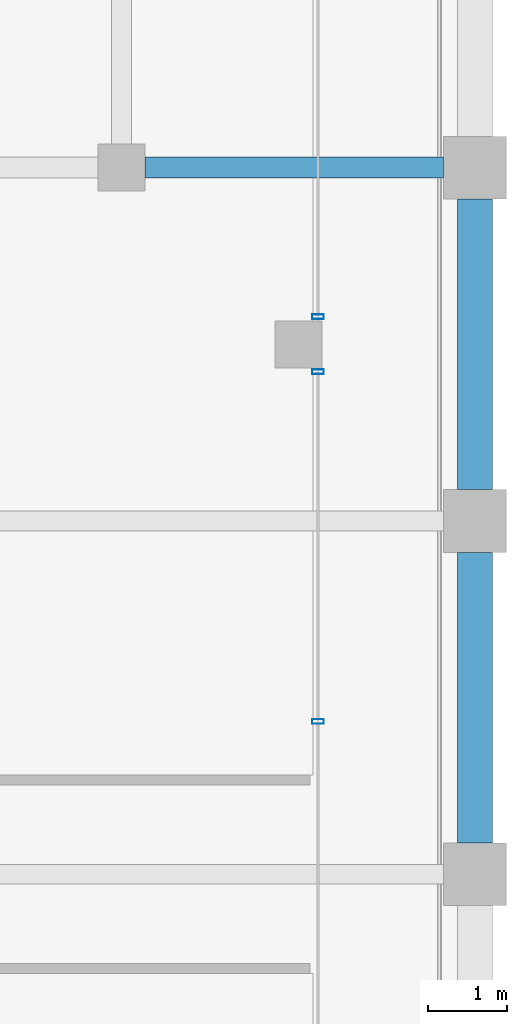
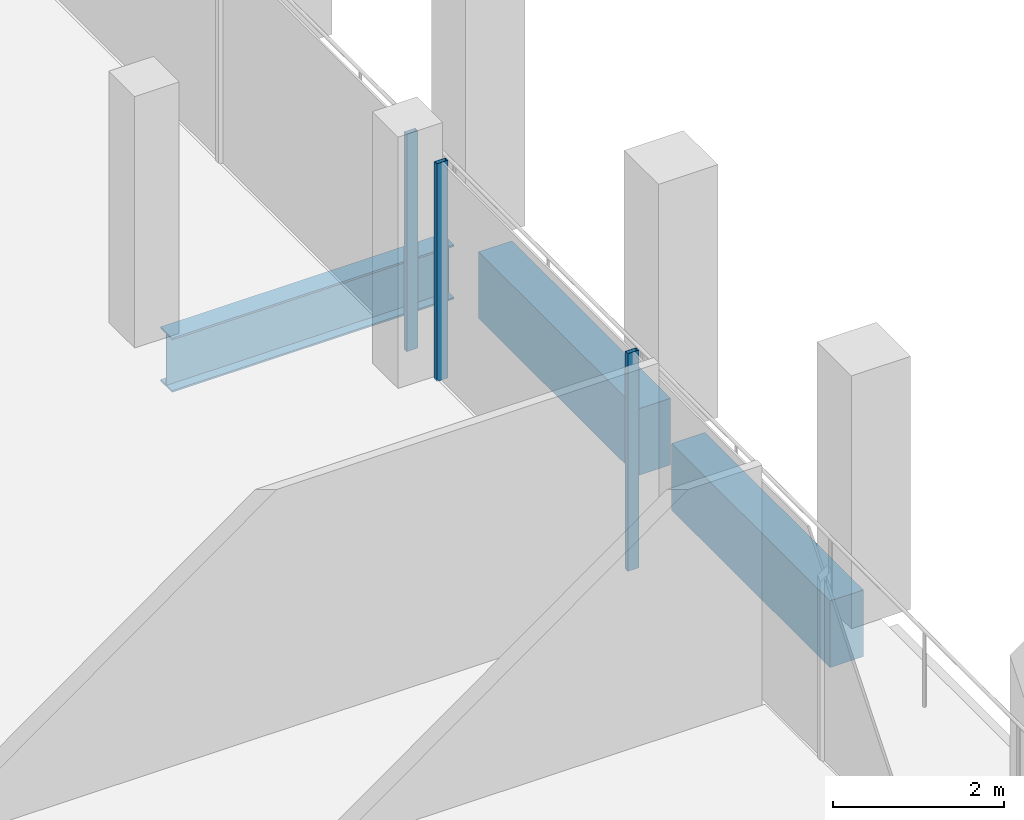
# One storey, part 19 of 30: 3 beams, 3 members, 2 elements without a shape of their own.
"""IFC4 building model written with IfcOpenShell, lengths in metres."""

from ifc_helpers import new_model, si_unit, direction, frame, origin, origin_2d, place, context, subcontext, project, spatial, rectangle, hollow_rectangle, i_section, extrude, material, material_profile, profile_set, type_object, element, aggregate, save


model = new_model("IFC4")

# Units and contexts
model_context = context("Model", 3, precision=1e-05, world=origin(), true_north=direction((0.0, 1.0)))
body_context = subcontext(model_context, "Body", "Model", "MODEL_VIEW")
ifc_project = project(units=[si_unit("LENGTHUNIT", "METRE"), si_unit("AREAUNIT", "SQUARE_METRE"), si_unit("VOLUMEUNIT", "CUBIC_METRE"), si_unit("PLANEANGLEUNIT", "RADIAN"), si_unit("MASSUNIT", "GRAM", prefix="KILO")], contexts=[model_context])

# Site, building, storey
site_placement = place(None, origin())
site = spatial("IfcSite", under=ifc_project, at=site_placement, CompositionType="ELEMENT")
building_placement = place(site_placement, origin())
building = spatial("IfcBuilding", under=site, at=building_placement, Name="Altepetl Exchange Towers", CompositionType="ELEMENT")
storey_placement = place(building_placement, frame((0.0, 0.0, 224.39990234375)))
storey = spatial("IfcBuildingStorey", under=building, at=storey_placement, Name="L57", CompositionType="ELEMENT", Elevation=224.39990234375)

# Beam
ifc_material_1 = material(Name="Steel S355", Category="steel")
ifc_material_profile_1 = material_profile(ifc_material_1, i_section(OverallWidth=0.26806640625, OverallDepth=0.77392578125, WebThickness=0.015380859375, FlangeThickness=0.025390625, at=origin_2d()), Name="W30X132")
ifc_profile_set_1 = profile_set([ifc_material_profile_1], Name="Steel S355")
beam_type_1 = type_object("IfcBeamType", Name="Girder W30X132", PredefinedType="BEAM", material=ifc_profile_set_1)
beam_placement = place(storey_placement, frame((67.800048828125, 58.5, -0.536865234375), z_axis=(1.0, 0.0, 0.0), x_axis=(0.0, 1.0, 0.0)))
element("IfcBeam", 1, at=beam_placement, inside=storey, type_object=beam_type_1, Name="gd:A:L57:002", PredefinedType="BEAM", context=body_context, shape_type="SweptSolid", body=[
    extrude(i_section(OverallWidth=0.26806640625, OverallDepth=0.77392578125, WebThickness=0.015380859375, FlangeThickness=0.025390625, at=origin_2d()), origin(), (0.0, 0.0, 1.0), 3.800048828125),
])

# Curtain wall, members
ifc_material_2 = material(Name="Aluminium 6063-T6 glazing", Category="aluminium")
curtain_wall_type = type_object("IfcCurtainWallType", Name="Loggia glazing system", PredefinedType="NOTDEFINED", material=ifc_material_2)
curtain_wall_1_placement = place(storey_placement, origin())
curtain_wall_1 = element("IfcCurtainWall", 2, at=curtain_wall_1_placement, inside=storey, type_object=curtain_wall_type, Name="CW1 run", PredefinedType="NOTDEFINED")
ifc_material_3 = material(Name="Aluminium 6063-T6", Category="aluminium")
ifc_material_profile_2 = material_profile(ifc_material_3, hollow_rectangle(XDim=0.06005859375, YDim=0.14990234375, WallThickness=0.0029296875, at=origin_2d()), Name="Mullion 60x150 aluminium")
ifc_profile_set_2 = profile_set([ifc_material_profile_2], Name="Aluminium 6063-T6")
member_type = type_object("IfcMemberType", Name="Mullion 60x150 aluminium", PredefinedType="MULLION", material=ifc_profile_set_2)
member_1_placement = place(storey_placement, frame((70.0, 51.444091796875, 0.0), z_axis=(0.0, 0.0, 1.0), x_axis=(0.0, 1.0, 0.0)))
member_1 = element("IfcMember", 3, at=member_1_placement, type_object=member_type, Name="MU1 mullion", PredefinedType="MULLION", context=body_context, shape_type="SweptSolid", body=[
    extrude(hollow_rectangle(XDim=0.06005859375, YDim=0.14990234375, WallThickness=0.0029296875, at=origin_2d()), origin(), (0.0, 0.0, 1.0), 3.10009765625),
])
member_2_placement = place(storey_placement, frame((70.0, 55.89990234375, 0.0), z_axis=(0.0, 0.0, 1.0), x_axis=(0.0, 1.0, 0.0)))
member_2 = element("IfcMember", 4, at=member_2_placement, type_object=member_type, Name="MU1 mullion", PredefinedType="MULLION", context=body_context, shape_type="SweptSolid", body=[
    extrude(hollow_rectangle(XDim=0.06005859375, YDim=0.14990234375, WallThickness=0.0029296875, at=origin_2d()), origin(), (0.0, 0.0, 1.0), 3.10009765625),
])
aggregate(curtain_wall_1, [member_1, member_2])

# Curtain wall, member
curtain_wall_2_placement = place(storey_placement, origin())
curtain_wall_2 = element("IfcCurtainWall", 5, at=curtain_wall_2_placement, inside=storey, type_object=curtain_wall_type, Name="CW1 run", PredefinedType="NOTDEFINED")
member_3_placement = place(storey_placement, frame((70.0, 56.60009765625, 0.0), z_axis=(0.0, 0.0, 1.0), x_axis=(0.0, 1.0, 0.0)))
member_3 = element("IfcMember", 6, at=member_3_placement, type_object=member_type, Name="MU1 mullion", PredefinedType="MULLION", context=body_context, shape_type="SweptSolid", body=[
    extrude(hollow_rectangle(XDim=0.06005859375, YDim=0.14990234375, WallThickness=0.0029296875, at=origin_2d()), origin(), (0.0, 0.0, 1.0), 3.10009765625),
])
aggregate(curtain_wall_2, [member_3])

# Beams
ifc_material_4 = material(Name="Concrete C50/60 precast with cantera amarilla facing", Category="concrete")
ifc_material_profile_3 = material_profile(ifc_material_4, rectangle(XDim=0.449951171875, YDim=0.949951171875, at=origin_2d()), Name="450 x 950")
ifc_profile_set_3 = profile_set([ifc_material_profile_3], Name="Concrete C50/60 precast with cantera amarilla facing")
beam_type_2 = type_object("IfcBeamType", Name="Spandrel beam 450x950 cantera amarilla", PredefinedType="SPANDREL", material=ifc_profile_set_3)
for number, where, z_axis, x_axis, name in (
    (7, (72.0, 49.89990234375, -0.625), (0.0, 1.0, 0.0), (-1.0, 0.0, 0.0), "sp:A:L57:016"),
    (8, (72.0, 54.39990234375, -0.625), (0.0, 1.0, 0.0), (-1.0, 0.0, 0.0), "sp:A:L57:017"),
):
    element("IfcBeam", number, at=place(storey_placement, frame(where, z_axis=z_axis, x_axis=x_axis)), inside=storey, type_object=beam_type_2, Name=name, PredefinedType="SPANDREL", context=body_context, shape_type="SweptSolid", body=[
        extrude(rectangle(XDim=0.449951171875, YDim=0.949951171875, at=origin_2d()), origin(), (0.0, 0.0, 1.0), 3.7001953125),
    ])

save(model, "model.ifc")
